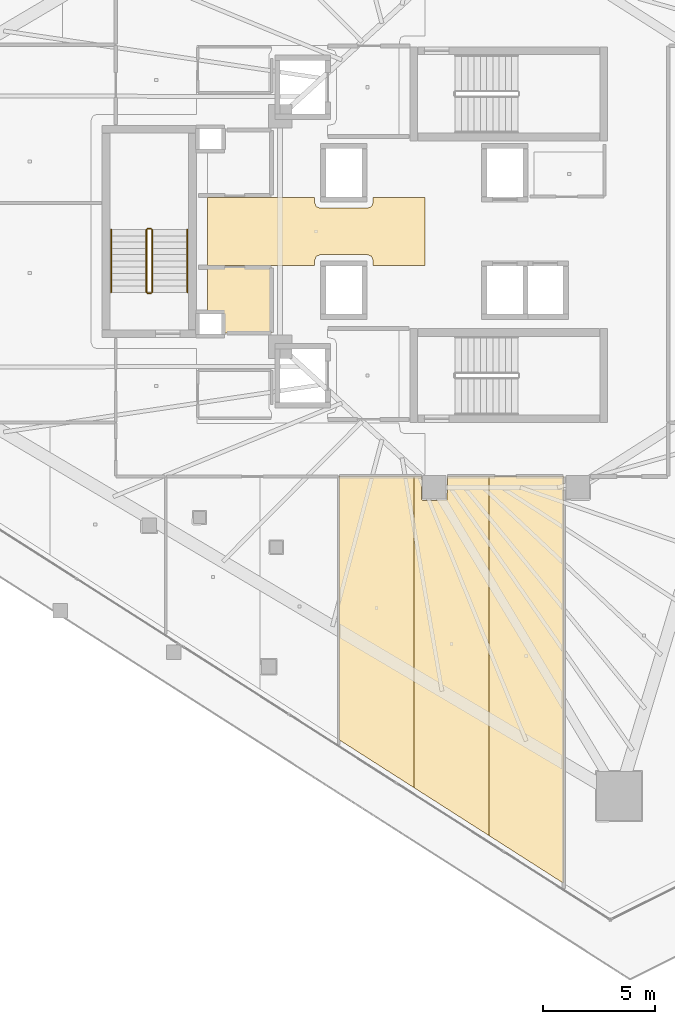
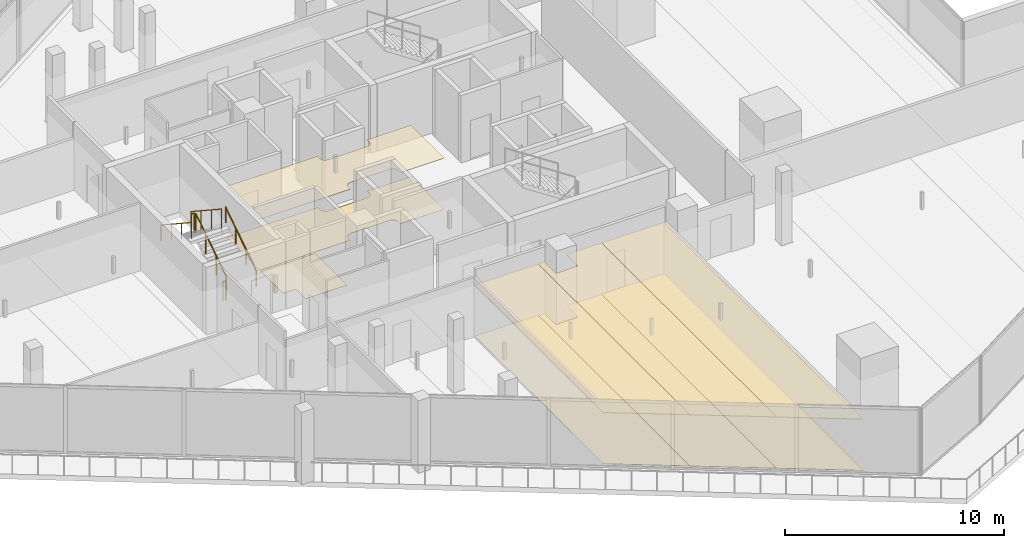
# One storey, part 35 of 42: 9 coverings, 6 railings.
"""IFC4 building model written with IfcOpenShell, lengths in metres."""

import ifcopenshell
import ifcopenshell.guid

model = None  # the IFC model being written
_history = None  # IfcOwnerHistory: only IFC2X3 demands one
_inside = {}  # id of a spatial element -> (the spatial element, [elements in it])
_under = {}  # id of a project, library or spatial element -> (it, [spatial elements below it])
_declared = {}  # id of a project -> (the project, [libraries it declares])
_typed = {}  # id of a type object -> (the type object, [elements of that type])
_made_of = {}  # id of a material, layer set ... -> (it, [elements and type objects made of it])


def new_model(schema):
    """Start an empty IFC model of exactly this schema.

    Asked for "IFC4X3", IfcOpenShell would pick the latest addendum, in which some entities
    have other attributes; the version numbers below select the first issue.
    IFC2X3 requires an IfcOwnerHistory on every rooted entity: one is made here for all.
    """
    global model, _history
    if schema == "IFC4X3":
        model = ifcopenshell.file(schema_version=(4, 3, 0, 0))
    else:
        model = ifcopenshell.file(schema=schema)
    _inside.clear()
    _under.clear()
    _declared.clear()
    _typed.clear()
    _made_of.clear()
    _history = None
    if model.schema == "IFC2X3":
        org = make("IfcOrganization", Name="unknown")
        user = make(
            "IfcPersonAndOrganization",
            ThePerson=make("IfcPerson", FamilyName="unknown"),
            TheOrganization=org,
        )
        app = make(
            "IfcApplication",
            ApplicationDeveloper=org,
            Version="unknown",
            ApplicationFullName="unknown",
            ApplicationIdentifier="unknown",
        )
        _history = make(
            "IfcOwnerHistory",
            OwningUser=user,
            OwningApplication=app,
            ChangeAction="ADDED",
            CreationDate=0,
        )
    return model


def make(cls, **values):
    """One entity of the class cls with the attributes given. An attribute that is None is left unset."""
    return model.create_entity(
        cls, **{name: value for name, value in values.items() if value is not None}
    )


def rooted(cls, **values):
    """An entity with a GlobalId (a new one), such as an element, a storey or a relation."""
    return make(cls, GlobalId=ifcopenshell.guid.new(), OwnerHistory=_history, **values)


def si_unit(unit_type, name, prefix=None):
    """IfcSIUnit, for example si_unit("LENGTHUNIT", "METRE", prefix="MILLI")."""
    return make("IfcSIUnit", UnitType=unit_type, Prefix=prefix, Name=name)


def assignment(units):
    """IfcUnitAssignment: the units of a project."""
    return None if units is None else make("IfcUnitAssignment", Units=units)


def point(xyz):
    """IfcCartesianPoint."""
    return None if xyz is None else make("IfcCartesianPoint", Coordinates=xyz)


def direction(xyz):
    """IfcDirection."""
    return None if xyz is None else make("IfcDirection", DirectionRatios=xyz)


def frame(location, z_axis=None, x_axis=None):
    """IfcAxis2Placement3D, a coordinate frame: its origin and axes. An axis left out is left unset."""
    return make(
        "IfcAxis2Placement3D",
        Location=point(location),
        Axis=direction(z_axis),
        RefDirection=direction(x_axis),
    )


def frame_2d(location, x_axis=None):
    """IfcAxis2Placement2D, a coordinate frame in the plane: its origin and x axis."""
    return make(
        "IfcAxis2Placement2D", Location=point(location), RefDirection=direction(x_axis)
    )


def origin():
    """The frame at (0, 0, 0) with its axes left unset."""
    return frame((0.0, 0.0, 0.0))


def origin_2d():
    """The frame at (0, 0) in the plane with its x axis left unset."""
    return frame_2d((0.0, 0.0))


def place(relative_to, where):
    """IfcLocalPlacement: puts the frame where relative to a parent placement (None: the world)."""
    return make(
        "IfcLocalPlacement", PlacementRelTo=relative_to, RelativePlacement=where
    )


def context(
    kind, dimensions, precision=None, world=None, true_north=None, identifier=None
):
    """IfcGeometricRepresentationContext, for example the 3D "Model" context."""
    return make(
        "IfcGeometricRepresentationContext",
        ContextIdentifier=identifier,
        ContextType=kind,
        CoordinateSpaceDimension=dimensions,
        Precision=precision,
        WorldCoordinateSystem=world,
        TrueNorth=true_north,
    )


def subcontext(parent, identifier, kind, view, scale=None):
    """IfcGeometricRepresentationSubContext, for example "Body" below "Model"."""
    return make(
        "IfcGeometricRepresentationSubContext",
        ContextIdentifier=identifier,
        ContextType=kind,
        ParentContext=parent,
        TargetScale=scale,
        TargetView=view,
    )


def project(units=None, contexts=None):
    """IfcProject with its units and contexts."""
    return rooted(
        "IfcProject",
        Name="project",
        RepresentationContexts=contexts,
        UnitsInContext=assignment(units),
    )


def spatial(cls, under=None, at=None, **own):
    """A site, building, storey or space (cls), placed at a placement, below another one or the project."""
    s = rooted(cls, ObjectPlacement=at, **own)
    if under is not None:
        _under.setdefault(under.id(), (under, []))[1].append(s)
    return s


def polyline(points):
    """IfcPolyline through the points."""
    return make("IfcPolyline", Points=[point(p) for p in points])


def profile(cls, at=None, kind="AREA", **sizes):
    """A parametric profile (cls). Its sizes go by their IFC names, for example OverallWidth=200.0."""
    return make(cls, ProfileType=kind, Position=at, **sizes)


def circle(**sizes):
    """IfcCircleProfileDef."""
    return profile("IfcCircleProfileDef", **sizes)


def outline(outer, holes=None, kind="AREA"):
    """IfcArbitraryClosedProfileDef: a profile drawn as a closed curve; with holes, ...WithVoids."""
    if holes is None:
        return make("IfcArbitraryClosedProfileDef", ProfileType=kind, OuterCurve=outer)
    return make(
        "IfcArbitraryProfileDefWithVoids",
        ProfileType=kind,
        OuterCurve=outer,
        InnerCurves=holes,
    )


def extrude(swept, where, along, depth):
    """IfcExtrudedAreaSolid: the profile swept, set in the frame where, extruded along a direction by depth."""
    return make(
        "IfcExtrudedAreaSolid",
        SweptArea=swept,
        Position=where,
        ExtrudedDirection=direction(along),
        Depth=depth,
    )


def shape(context_of_items, identifier, shape_type, items):
    """IfcShapeRepresentation: the items that make up one representation, for example the "Body"."""
    return make(
        "IfcShapeRepresentation",
        ContextOfItems=context_of_items,
        RepresentationIdentifier=identifier,
        RepresentationType=shape_type,
        Items=items,
    )


def material(Name=None, Category=None):
    """IfcMaterial."""
    return make("IfcMaterial", Name=Name, Category=Category)


def layer(
    of_material, thickness, ventilated=None, Name=None, Category=None, Priority=None
):
    """IfcMaterialLayer: one layer of a wall or slab, of a material (None: an air gap)."""
    return make(
        "IfcMaterialLayer",
        Material=of_material,
        LayerThickness=thickness,
        IsVentilated=ventilated,
        Name=Name,
        Category=Category,
        Priority=Priority,
    )


def layer_set(layers, Name=None):
    """IfcMaterialLayerSet."""
    return make("IfcMaterialLayerSet", MaterialLayers=layers, LayerSetName=Name)


def made_of(thing, what):
    """Note that an element or type object is made of a material, layer set ...; save() writes the relation."""
    if what is not None:
        _made_of.setdefault(what.id(), (what, []))[1].append(thing)
    return thing


def type_object(cls, material=None, **own):
    """A type object (cls), such as IfcWallType, which elements share."""
    return made_of(rooted(cls, **own), material)


def element(
    cls,
    number,
    at=None,
    inside=None,
    cuts=None,
    type_object=None,
    material=None,
    context=None,
    identifier="Body",
    shape_type=None,
    held_by="IfcProductDefinitionShape",
    body=None,
    shapes=None,
    **own,
):
    """One element of the class cls, such as IfcWall. Its Tag is "e" and its number.

    at: its placement. inside: the storey or other place that contains it. cuts: it is an
    opening in that element (IfcRelVoidsElement). A single representation is given by context,
    identifier, shape_type and body (its items); several are given by shapes. held_by: the class
    of the entity that holds the representations. save() writes the other relations.
    """
    e = rooted(cls, Tag="e%d" % number, ObjectPlacement=at, **own)
    if body is not None:
        shapes = [shape(context, identifier, shape_type, body)]
    if shapes is not None:
        e.Representation = make(held_by, Representations=shapes)
    if inside is not None:
        _inside.setdefault(inside.id(), (inside, []))[1].append(e)
    if cuts is not None:
        rooted(
            "IfcRelVoidsElement", RelatingBuildingElement=cuts, RelatedOpeningElement=e
        )
    if type_object is not None:
        _typed.setdefault(type_object.id(), (type_object, []))[1].append(e)
    return made_of(e, material)


def aggregate(whole, parts):
    """IfcRelAggregates: a whole, such as a stair, and the parts it consists of."""
    return rooted("IfcRelAggregates", RelatingObject=whole, RelatedObjects=parts)


def save(model, path):
    """Write the relations noted so far, then the file.

    IfcRelAggregates (storeys below a building ...), IfcRelContainedInSpatialStructure (elements
    in a storey), IfcRelDefinesByType, IfcRelAssociatesMaterial and IfcRelDeclares: one each for
    every whole, place, type object, material and project.
    """
    for whole, parts in _under.values():
        aggregate(whole, parts)
    for where, things in _inside.values():
        rooted(
            "IfcRelContainedInSpatialStructure",
            RelatedElements=things,
            RelatingStructure=where,
        )
    for kind, things in _typed.values():
        rooted("IfcRelDefinesByType", RelatedObjects=things, RelatingType=kind)
    for what, things in _made_of.values():
        rooted("IfcRelAssociatesMaterial", RelatedObjects=things, RelatingMaterial=what)
    for by, libraries in _declared.values():
        rooted("IfcRelDeclares", RelatingContext=by, RelatedDefinitions=libraries)
    model.write(path)


model = new_model("IFC4")

# Units and contexts
model_context = context("Model", 3, precision=1e-05, world=origin(), true_north=direction((0.0, 1.0)))
body_context = subcontext(model_context, "Body", "Model", "MODEL_VIEW")
ifc_project = project(units=[si_unit("LENGTHUNIT", "METRE"), si_unit("AREAUNIT", "SQUARE_METRE"), si_unit("VOLUMEUNIT", "CUBIC_METRE"), si_unit("PLANEANGLEUNIT", "RADIAN"), si_unit("MASSUNIT", "GRAM", prefix="KILO")], contexts=[model_context])

# Site, building, storey
site_placement = place(None, origin())
site = spatial("IfcSite", under=ifc_project, at=site_placement, CompositionType="ELEMENT")
building_placement = place(site_placement, origin())
building = spatial("IfcBuilding", under=site, at=building_placement, Name="Qorvath Tower", CompositionType="ELEMENT")
storey_placement = place(building_placement, frame((0.0, 0.0, 117.89990234375)))
storey = spatial("IfcBuildingStorey", under=building, at=storey_placement, Name="L26", CompositionType="ELEMENT", Elevation=117.89990234375)

# Coverings
ifc_material_1 = material(Name="Acoustic mineral fibre ceiling tile", Category="gypsum")
ifc_layer_1 = layer(ifc_material_1, 0.030029296875)
ifc_layer_set_1 = layer_set([ifc_layer_1], Name="COV-CEIL")
covering_type_1 = type_object("IfcCoveringType", Name="COV-CEIL", PredefinedType="CEILING", material=ifc_layer_set_1)
covering_1_placement = place(storey_placement, frame((0.0, 0.0, 2.85009765625)))
element("IfcCovering", 1, at=covering_1_placement, inside=storey, type_object=covering_type_1, Name="L26 Suspended Acoustic Ceiling 010", PredefinedType="CEILING", context=body_context, shape_type="SweptSolid", body=[
    extrude(outline(polyline([(-24.02001953125, -1.514892578125), (-24.02001953125, 1.514892578125), (-26.340087890625, 1.514892578125), (-26.340087890625, 1.2900390625), (-26.413330078125, 1.11328125), (-26.590087890625, 1.0400390625), (-28.7099609375, 1.0400390625), (-28.88671875, 1.11328125), (-28.9599609375, 1.2900390625), (-28.9599609375, 1.514892578125), (-33.760009765625, 1.514892578125), (-33.760009765625, -1.514892578125), (-28.9599609375, -1.514892578125), (-28.9599609375, -1.2900390625), (-28.88671875, -1.11328125), (-28.7099609375, -1.0400390625), (-26.590087890625, -1.0400390625), (-26.413330078125, -1.11328125), (-26.340087890625, -1.2900390625), (-26.340087890625, -1.514892578125), (-24.02001953125, -1.514892578125)])), origin(), (0.0, 0.0, 1.0), 0.030029296875),
])
covering_2_placement = place(storey_placement, frame((0.0, 0.0, 2.85009765625)))
element("IfcCovering", 2, at=covering_2_placement, inside=storey, type_object=covering_type_1, Name="L26 Suspended Acoustic Ceiling 021", PredefinedType="CEILING", context=body_context, shape_type="SweptSolid", body=[
    extrude(outline(polyline([(-24.517578125, -24.874755859375), (-24.517578125, -10.962890625), (-27.86572265625, -10.962890625), (-27.86572265625, -22.73486328125), (-24.517578125, -24.874755859375)])), origin(), (0.0, 0.0, 1.0), 0.030029296875),
])
covering_3_placement = place(storey_placement, frame((0.0, 0.0, 2.85009765625)))
element("IfcCovering", 3, at=covering_3_placement, inside=storey, type_object=covering_type_1, Name="L26 Suspended Acoustic Ceiling 022", PredefinedType="CEILING", context=body_context, shape_type="SweptSolid", body=[
    extrude(outline(polyline([(-21.16943359375, -27.0146484375), (-21.16943359375, -10.962890625), (-23.014892578125, -10.962890625), (-23.032470703125, -12.017333984375), (-24.125, -12.034912109375), (-24.18505859375, -11.97509765625), (-24.18505859375, -10.962890625), (-24.517578125, -10.962890625), (-24.517578125, -24.874755859375), (-21.16943359375, -27.0146484375)])), origin(), (0.0, 0.0, 1.0), 0.030029296875),
])
covering_4_placement = place(storey_placement, frame((0.0, 0.0, 2.85009765625)))
element("IfcCovering", 4, at=covering_4_placement, inside=storey, type_object=covering_type_1, Name="L26 Suspended Acoustic Ceiling 023", PredefinedType="CEILING", context=body_context, shape_type="SweptSolid", body=[
    extrude(outline(polyline([(-17.8212890625, -29.154541015625), (-17.8212890625, -10.962890625), (-21.16943359375, -10.962890625), (-21.16943359375, -27.0146484375), (-17.8212890625, -29.154541015625)])), origin(), (0.0, 0.0, 1.0), 0.030029296875),
])
ifc_material_2 = material(Name="Low-VOC modular carpet tile", Category="textile")
ifc_layer_2 = layer(ifc_material_2, 0.014892578125)
ifc_layer_set_2 = layer_set([ifc_layer_2], Name="COV-FLOOR-CPT")
covering_type_2 = type_object("IfcCoveringType", Name="COV-FLOOR-CPT", PredefinedType="FLOORING", material=ifc_layer_set_2)
covering_5_placement = place(storey_placement, origin())
element("IfcCovering", 5, at=covering_5_placement, inside=storey, type_object=covering_type_2, Name="L26 Floor Finish 007", PredefinedType="FLOORING", context=body_context, shape_type="SweptSolid", body=[
    extrude(outline(polyline([(-30.885009765625, -4.534912109375), (-30.885009765625, -1.60498046875), (-33.760009765625, -1.60498046875), (-33.760009765625, -3.636962890625), (-33.08837890625, -3.638427734375), (-33.0869140625, -4.534912109375), (-30.885009765625, -4.534912109375)])), origin(), (0.0, 0.0, 1.0), 0.01513671875),
])
covering_6_placement = place(storey_placement, origin())
element("IfcCovering", 6, at=covering_6_placement, inside=storey, type_object=covering_type_2, Name="L26 Floor Finish 021", PredefinedType="FLOORING", context=body_context, shape_type="SweptSolid", body=[
    extrude(outline(polyline([(-24.517578125, -24.874755859375), (-24.517578125, -10.962890625), (-27.86572265625, -10.962890625), (-27.86572265625, -22.73486328125), (-24.517578125, -24.874755859375)])), origin(), (0.0, 0.0, 1.0), 0.01513671875),
])
covering_7_placement = place(storey_placement, origin())
element("IfcCovering", 7, at=covering_7_placement, inside=storey, type_object=covering_type_2, Name="L26 Floor Finish 022", PredefinedType="FLOORING", context=body_context, shape_type="SweptSolid", body=[
    extrude(outline(polyline([(-21.16943359375, -27.0146484375), (-21.16943359375, -10.962890625), (-23.014892578125, -10.962890625), (-23.032470703125, -12.017333984375), (-24.125, -12.034912109375), (-24.18505859375, -11.97509765625), (-24.18505859375, -10.962890625), (-24.517578125, -10.962890625), (-24.517578125, -24.874755859375), (-21.16943359375, -27.0146484375)])), origin(), (0.0, 0.0, 1.0), 0.01513671875),
])
covering_8_placement = place(storey_placement, origin())
element("IfcCovering", 8, at=covering_8_placement, inside=storey, type_object=covering_type_2, Name="L26 Floor Finish 023", PredefinedType="FLOORING", context=body_context, shape_type="SweptSolid", body=[
    extrude(outline(polyline([(-17.8212890625, -29.154541015625), (-17.8212890625, -10.962890625), (-21.16943359375, -10.962890625), (-21.16943359375, -27.0146484375), (-17.8212890625, -29.154541015625)])), origin(), (0.0, 0.0, 1.0), 0.01513671875),
])
ifc_material_3 = material(Name="Polished epoxy terrazzo flooring", Category="concrete")
ifc_layer_3 = layer(ifc_material_3, 0.02001953125)
ifc_layer_set_3 = layer_set([ifc_layer_3], Name="COV-FLOOR-TRZ")
covering_type_3 = type_object("IfcCoveringType", Name="COV-FLOOR-TRZ", PredefinedType="FLOORING", material=ifc_layer_set_3)
covering_9_placement = place(storey_placement, origin())
element("IfcCovering", 9, at=covering_9_placement, inside=storey, type_object=covering_type_3, Name="L26 Floor Finish 010", PredefinedType="FLOORING", context=body_context, shape_type="SweptSolid", body=[
    extrude(outline(polyline([(-24.02001953125, -1.514892578125), (-24.02001953125, 1.514892578125), (-26.340087890625, 1.514892578125), (-26.340087890625, 1.2900390625), (-26.413330078125, 1.11328125), (-26.590087890625, 1.0400390625), (-28.7099609375, 1.0400390625), (-28.88671875, 1.11328125), (-28.9599609375, 1.2900390625), (-28.9599609375, 1.514892578125), (-33.760009765625, 1.514892578125), (-33.760009765625, -1.514892578125), (-28.9599609375, -1.514892578125), (-28.9599609375, -1.2900390625), (-28.88671875, -1.11328125), (-28.7099609375, -1.0400390625), (-26.590087890625, -1.0400390625), (-26.413330078125, -1.11328125), (-26.340087890625, -1.2900390625), (-26.340087890625, -1.514892578125), (-24.02001953125, -1.514892578125)])), origin(), (0.0, 0.0, 1.0), 0.01513671875),
])

# Railings
ifc_material_4 = material(Name="Painted galvanised steel", Category="steel")
railing_type_1 = type_object("IfcRailingType", Name="RL-STR-GRD", PredefinedType="GUARDRAIL", material=ifc_material_4)
railing_1_placement = place(storey_placement, frame((-36.22998046875, -2.719970703125, 0.18408203125)))
element("IfcRailing", 10, at=railing_1_placement, inside=storey, type_object=railing_type_1, Name="L26 TS3 stair guard 1", PredefinedType="GUARDRAIL", context=body_context, shape_type="SweptSolid", body=[
    extrude(circle(Radius=0.02392578125, at=origin_2d()), frame((0.0, 0.0, 1.076171875), z_axis=(0.0, 0.83556406348, 0.549393024911), x_axis=(-1.0, 0.0, 0.0)), (0.0, 0.0, 1.0), 3.35107421875),
    extrude(circle(Radius=0.02099609375, at=origin_2d()), origin(), (0.0, 0.0, 1.0), 1.052001953125),
    extrude(circle(Radius=0.02099609375, at=origin_2d()), frame((0.0, 0.933349609375, 0.61376953125)), (0.0, 0.0, 1.0), 1.052001953125),
    extrude(circle(Radius=0.02099609375, at=origin_2d()), frame((0.0, 1.86669921875, 1.227294921875)), (0.0, 0.0, 1.0), 1.052001953125),
    extrude(circle(Radius=0.02099609375, at=origin_2d()), frame((0.0, 2.800048828125, 1.841064453125)), (0.0, 0.0, 1.0), 1.052001953125),
])
railing_2_placement = place(storey_placement, frame((-36.280029296875, 0.1298828125, 2.025146484375)))
element("IfcRailing", 11, at=railing_2_placement, inside=storey, type_object=railing_type_1, Name="L26 TS3 stair guard 2", PredefinedType="GUARDRAIL", context=body_context, shape_type="SweptSolid", body=[
    extrude(circle(Radius=0.02392578125, at=origin_2d()), frame((0.0, 0.0, 1.076171875), z_axis=(-1.0, 0.0, 0.0), x_axis=(0.0, -1.0, 0.0)), (0.0, 0.0, 1.0), 0.14990234375),
    extrude(circle(Radius=0.02099609375, at=origin_2d()), origin(), (0.0, 0.0, 1.0), 1.052001953125),
    extrude(circle(Radius=0.02099609375, at=origin_2d()), frame((-0.14990234375, 0.0, 0.0)), (0.0, 0.0, 1.0), 1.052001953125),
])
railing_3_placement = place(storey_placement, frame((-36.47998046875, 0.080078125, 2.209228515625)))
element("IfcRailing", 12, at=railing_3_placement, inside=storey, type_object=railing_type_1, Name="L26 TS3 stair guard 3", PredefinedType="GUARDRAIL", context=body_context, shape_type="SweptSolid", body=[
    extrude(circle(Radius=0.02392578125, at=origin_2d()), frame((0.0, 0.0, 1.076171875), z_axis=(0.0, -0.835597507184, 0.549342157483), x_axis=(1.0, 0.0, 0.0)), (0.0, 0.0, 1.0), 3.35107421875),
    extrude(circle(Radius=0.02099609375, at=origin_2d()), origin(), (0.0, 0.0, 1.0), 1.052001953125),
    extrude(circle(Radius=0.02099609375, at=origin_2d()), frame((0.0, -0.933349609375, 0.613525390625)), (0.0, 0.0, 1.0), 1.052001953125),
    extrude(circle(Radius=0.02099609375, at=origin_2d()), frame((0.0, -1.86669921875, 1.227294921875)), (0.0, 0.0, 1.0), 1.052001953125),
    extrude(circle(Radius=0.02099609375, at=origin_2d()), frame((0.0, -2.800048828125, 1.8408203125)), (0.0, 0.0, 1.0), 1.052001953125),
])
railing_4_placement = place(storey_placement, frame((-36.280029296875, -2.77001953125, 0.0)))
element("IfcRailing", 13, at=railing_4_placement, inside=storey, type_object=railing_type_1, Name="L26 TS3 stair guard 4", PredefinedType="GUARDRAIL", context=body_context, shape_type="SweptSolid", body=[
    extrude(circle(Radius=0.02392578125, at=origin_2d()), frame((0.0, 0.0, 1.076171875), z_axis=(-1.0, 0.0, 0.0), x_axis=(0.0, -1.0, 0.0)), (0.0, 0.0, 1.0), 0.14990234375),
    extrude(circle(Radius=0.02099609375, at=origin_2d()), origin(), (0.0, 0.0, 1.0), 1.052001953125),
    extrude(circle(Radius=0.02099609375, at=origin_2d()), frame((-0.14990234375, 0.0, 0.0)), (0.0, 0.0, 1.0), 1.052001953125),
])
ifc_material_5 = material(Name="Brushed stainless steel AISI 304", Category="steel")
railing_type_2 = type_object("IfcRailingType", Name="RL-STR-HND", PredefinedType="HANDRAIL", material=ifc_material_5)
railing_5_placement = place(storey_placement, frame((-34.64990234375, -2.719970703125, 0.18408203125)))
element("IfcRailing", 14, at=railing_5_placement, inside=storey, type_object=railing_type_2, Name="L26 TS3 stair handrail 1", PredefinedType="HANDRAIL", context=body_context, shape_type="SweptSolid", body=[
    extrude(circle(Radius=0.02392578125, at=origin_2d()), frame((0.0, 0.0, 0.8759765625), z_axis=(0.0, 0.83556406348, 0.549393024911), x_axis=(-1.0, 0.0, 0.0)), (0.0, 0.0, 1.0), 3.35107421875),
    extrude(circle(Radius=0.02099609375, at=origin_2d()), origin(), (0.0, 0.0, 1.0), 0.851806640625),
    extrude(circle(Radius=0.02099609375, at=origin_2d()), frame((0.0, 0.933349609375, 0.61376953125)), (0.0, 0.0, 1.0), 0.851806640625),
    extrude(circle(Radius=0.02099609375, at=origin_2d()), frame((0.0, 1.86669921875, 1.227294921875)), (0.0, 0.0, 1.0), 0.851806640625),
    extrude(circle(Radius=0.02099609375, at=origin_2d()), frame((0.0, 2.800048828125, 1.841064453125)), (0.0, 0.0, 1.0), 0.851806640625),
])
railing_6_placement = place(storey_placement, frame((-38.06005859375, 0.080078125, 2.209228515625)))
element("IfcRailing", 15, at=railing_6_placement, inside=storey, type_object=railing_type_2, Name="L26 TS3 stair handrail 2", PredefinedType="HANDRAIL", context=body_context, shape_type="SweptSolid", body=[
    extrude(circle(Radius=0.02392578125, at=origin_2d()), frame((0.0, 0.0, 0.8759765625), z_axis=(0.0, -0.835597507184, 0.549342157483), x_axis=(1.0, 0.0, 0.0)), (0.0, 0.0, 1.0), 3.35107421875),
    extrude(circle(Radius=0.02099609375, at=origin_2d()), origin(), (0.0, 0.0, 1.0), 0.851806640625),
    extrude(circle(Radius=0.02099609375, at=origin_2d()), frame((0.0, -0.933349609375, 0.613525390625)), (0.0, 0.0, 1.0), 0.851806640625),
    extrude(circle(Radius=0.02099609375, at=origin_2d()), frame((0.0, -1.86669921875, 1.227294921875)), (0.0, 0.0, 1.0), 0.851806640625),
    extrude(circle(Radius=0.02099609375, at=origin_2d()), frame((0.0, -2.800048828125, 1.8408203125)), (0.0, 0.0, 1.0), 0.851806640625),
])

save(model, "model.ifc")
